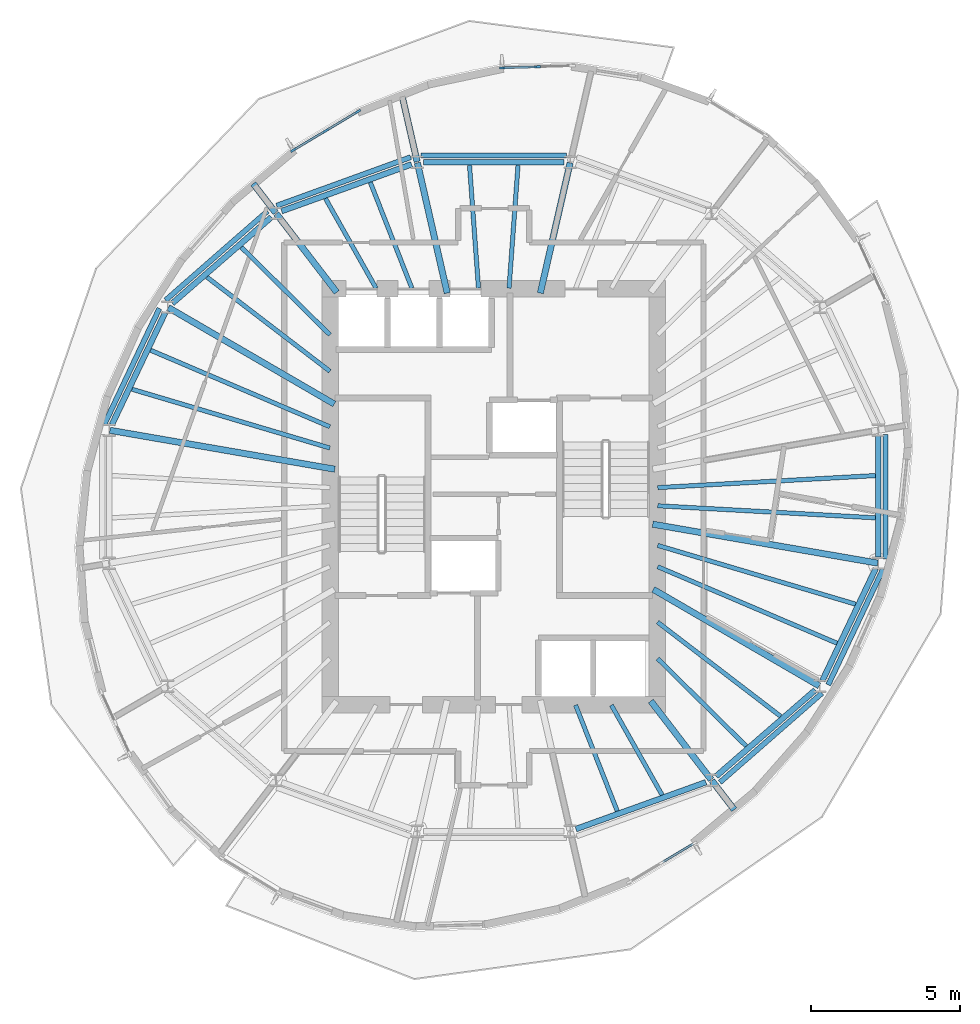
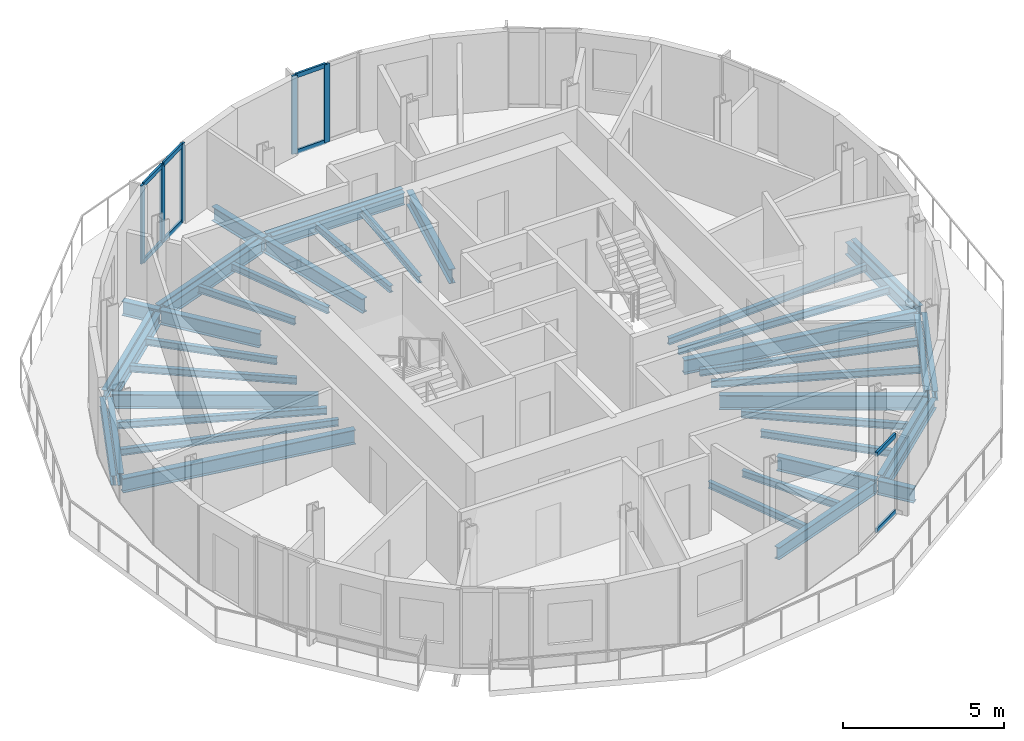
# One storey, part 2 of 11: 42 beams, 13 members, 3 elements without a shape of their own.
"""IFC4 building model written with IfcOpenShell, lengths in metres."""

import ifcopenshell
import ifcopenshell.guid

model = None  # the IFC model being written
_history = None  # IfcOwnerHistory: only IFC2X3 demands one
_inside = {}  # id of a spatial element -> (the spatial element, [elements in it])
_under = {}  # id of a project, library or spatial element -> (it, [spatial elements below it])
_declared = {}  # id of a project -> (the project, [libraries it declares])
_typed = {}  # id of a type object -> (the type object, [elements of that type])
_made_of = {}  # id of a material, layer set ... -> (it, [elements and type objects made of it])


def new_model(schema):
    """Start an empty IFC model of exactly this schema.

    Asked for "IFC4X3", IfcOpenShell would pick the latest addendum, in which some entities
    have other attributes; the version numbers below select the first issue.
    IFC2X3 requires an IfcOwnerHistory on every rooted entity: one is made here for all.
    """
    global model, _history
    if schema == "IFC4X3":
        model = ifcopenshell.file(schema_version=(4, 3, 0, 0))
    else:
        model = ifcopenshell.file(schema=schema)
    _inside.clear()
    _under.clear()
    _declared.clear()
    _typed.clear()
    _made_of.clear()
    _history = None
    if model.schema == "IFC2X3":
        org = make("IfcOrganization", Name="unknown")
        user = make(
            "IfcPersonAndOrganization",
            ThePerson=make("IfcPerson", FamilyName="unknown"),
            TheOrganization=org,
        )
        app = make(
            "IfcApplication",
            ApplicationDeveloper=org,
            Version="unknown",
            ApplicationFullName="unknown",
            ApplicationIdentifier="unknown",
        )
        _history = make(
            "IfcOwnerHistory",
            OwningUser=user,
            OwningApplication=app,
            ChangeAction="ADDED",
            CreationDate=0,
        )
    return model


def make(cls, **values):
    """One entity of the class cls with the attributes given. An attribute that is None is left unset."""
    return model.create_entity(
        cls, **{name: value for name, value in values.items() if value is not None}
    )


def rooted(cls, **values):
    """An entity with a GlobalId (a new one), such as an element, a storey or a relation."""
    return make(cls, GlobalId=ifcopenshell.guid.new(), OwnerHistory=_history, **values)


def si_unit(unit_type, name, prefix=None):
    """IfcSIUnit, for example si_unit("LENGTHUNIT", "METRE", prefix="MILLI")."""
    return make("IfcSIUnit", UnitType=unit_type, Prefix=prefix, Name=name)


def assignment(units):
    """IfcUnitAssignment: the units of a project."""
    return None if units is None else make("IfcUnitAssignment", Units=units)


def point(xyz):
    """IfcCartesianPoint."""
    return None if xyz is None else make("IfcCartesianPoint", Coordinates=xyz)


def direction(xyz):
    """IfcDirection."""
    return None if xyz is None else make("IfcDirection", DirectionRatios=xyz)


def frame(location, z_axis=None, x_axis=None):
    """IfcAxis2Placement3D, a coordinate frame: its origin and axes. An axis left out is left unset."""
    return make(
        "IfcAxis2Placement3D",
        Location=point(location),
        Axis=direction(z_axis),
        RefDirection=direction(x_axis),
    )


def frame_2d(location, x_axis=None):
    """IfcAxis2Placement2D, a coordinate frame in the plane: its origin and x axis."""
    return make(
        "IfcAxis2Placement2D", Location=point(location), RefDirection=direction(x_axis)
    )


def origin():
    """The frame at (0, 0, 0) with its axes left unset."""
    return frame((0.0, 0.0, 0.0))


def origin_2d():
    """The frame at (0, 0) in the plane with its x axis left unset."""
    return frame_2d((0.0, 0.0))


def place(relative_to, where):
    """IfcLocalPlacement: puts the frame where relative to a parent placement (None: the world)."""
    return make(
        "IfcLocalPlacement", PlacementRelTo=relative_to, RelativePlacement=where
    )


def context(
    kind, dimensions, precision=None, world=None, true_north=None, identifier=None
):
    """IfcGeometricRepresentationContext, for example the 3D "Model" context."""
    return make(
        "IfcGeometricRepresentationContext",
        ContextIdentifier=identifier,
        ContextType=kind,
        CoordinateSpaceDimension=dimensions,
        Precision=precision,
        WorldCoordinateSystem=world,
        TrueNorth=true_north,
    )


def subcontext(parent, identifier, kind, view, scale=None):
    """IfcGeometricRepresentationSubContext, for example "Body" below "Model"."""
    return make(
        "IfcGeometricRepresentationSubContext",
        ContextIdentifier=identifier,
        ContextType=kind,
        ParentContext=parent,
        TargetScale=scale,
        TargetView=view,
    )


def project(units=None, contexts=None):
    """IfcProject with its units and contexts."""
    return rooted(
        "IfcProject",
        Name="project",
        RepresentationContexts=contexts,
        UnitsInContext=assignment(units),
    )


def spatial(cls, under=None, at=None, **own):
    """A site, building, storey or space (cls), placed at a placement, below another one or the project."""
    s = rooted(cls, ObjectPlacement=at, **own)
    if under is not None:
        _under.setdefault(under.id(), (under, []))[1].append(s)
    return s


def profile(cls, at=None, kind="AREA", **sizes):
    """A parametric profile (cls). Its sizes go by their IFC names, for example OverallWidth=200.0."""
    return make(cls, ProfileType=kind, Position=at, **sizes)


def rectangle(**sizes):
    """IfcRectangleProfileDef."""
    return profile("IfcRectangleProfileDef", **sizes)


def i_section(**sizes):
    """IfcIShapeProfileDef."""
    return profile("IfcIShapeProfileDef", **sizes)


def extrude(swept, where, along, depth):
    """IfcExtrudedAreaSolid: the profile swept, set in the frame where, extruded along a direction by depth."""
    return make(
        "IfcExtrudedAreaSolid",
        SweptArea=swept,
        Position=where,
        ExtrudedDirection=direction(along),
        Depth=depth,
    )


def shape(context_of_items, identifier, shape_type, items):
    """IfcShapeRepresentation: the items that make up one representation, for example the "Body"."""
    return make(
        "IfcShapeRepresentation",
        ContextOfItems=context_of_items,
        RepresentationIdentifier=identifier,
        RepresentationType=shape_type,
        Items=items,
    )


def material(Name=None, Category=None):
    """IfcMaterial."""
    return make("IfcMaterial", Name=Name, Category=Category)


def material_profile(
    of_material, cross_section, Name=None, Category=None, Priority=None
):
    """IfcMaterialProfile: a cross section and its material."""
    return make(
        "IfcMaterialProfile",
        Name=Name,
        Material=of_material,
        Profile=cross_section,
        Priority=Priority,
        Category=Category,
    )


def profile_set(profiles, Name=None, composite=None):
    """IfcMaterialProfileSet."""
    return make(
        "IfcMaterialProfileSet",
        Name=Name,
        MaterialProfiles=profiles,
        CompositeProfile=composite,
    )


def made_of(thing, what):
    """Note that an element or type object is made of a material, layer set ...; save() writes the relation."""
    if what is not None:
        _made_of.setdefault(what.id(), (what, []))[1].append(thing)
    return thing


def type_object(cls, material=None, **own):
    """A type object (cls), such as IfcWallType, which elements share."""
    return made_of(rooted(cls, **own), material)


def element(
    cls,
    number,
    at=None,
    inside=None,
    cuts=None,
    type_object=None,
    material=None,
    context=None,
    identifier="Body",
    shape_type=None,
    held_by="IfcProductDefinitionShape",
    body=None,
    shapes=None,
    **own,
):
    """One element of the class cls, such as IfcWall. Its Tag is "e" and its number.

    at: its placement. inside: the storey or other place that contains it. cuts: it is an
    opening in that element (IfcRelVoidsElement). A single representation is given by context,
    identifier, shape_type and body (its items); several are given by shapes. held_by: the class
    of the entity that holds the representations. save() writes the other relations.
    """
    e = rooted(cls, Tag="e%d" % number, ObjectPlacement=at, **own)
    if body is not None:
        shapes = [shape(context, identifier, shape_type, body)]
    if shapes is not None:
        e.Representation = make(held_by, Representations=shapes)
    if inside is not None:
        _inside.setdefault(inside.id(), (inside, []))[1].append(e)
    if cuts is not None:
        rooted(
            "IfcRelVoidsElement", RelatingBuildingElement=cuts, RelatedOpeningElement=e
        )
    if type_object is not None:
        _typed.setdefault(type_object.id(), (type_object, []))[1].append(e)
    return made_of(e, material)


def aggregate(whole, parts):
    """IfcRelAggregates: a whole, such as a stair, and the parts it consists of."""
    return rooted("IfcRelAggregates", RelatingObject=whole, RelatedObjects=parts)


def save(model, path):
    """Write the relations noted so far, then the file.

    IfcRelAggregates (storeys below a building ...), IfcRelContainedInSpatialStructure (elements
    in a storey), IfcRelDefinesByType, IfcRelAssociatesMaterial and IfcRelDeclares: one each for
    every whole, place, type object, material and project.
    """
    for whole, parts in _under.values():
        aggregate(whole, parts)
    for where, things in _inside.values():
        rooted(
            "IfcRelContainedInSpatialStructure",
            RelatedElements=things,
            RelatingStructure=where,
        )
    for kind, things in _typed.values():
        rooted("IfcRelDefinesByType", RelatedObjects=things, RelatingType=kind)
    for what, things in _made_of.values():
        rooted("IfcRelAssociatesMaterial", RelatedObjects=things, RelatingMaterial=what)
    for by, libraries in _declared.values():
        rooted("IfcRelDeclares", RelatingContext=by, RelatedDefinitions=libraries)
    model.write(path)


model = new_model("IFC4")

# Units and contexts
model_context = context("Model", 3, precision=1e-05, world=origin(), true_north=direction((0.0, 1.0)))
body_context = subcontext(model_context, "Body", "Model", "MODEL_VIEW")
ifc_project = project(units=[si_unit("LENGTHUNIT", "METRE"), si_unit("AREAUNIT", "SQUARE_METRE"), si_unit("VOLUMEUNIT", "CUBIC_METRE"), si_unit("PLANEANGLEUNIT", "RADIAN"), si_unit("MASSUNIT", "GRAM", prefix="KILO")], contexts=[model_context])

# Site, building, storey
site_placement = place(None, origin())
site = spatial("IfcSite", under=ifc_project, at=site_placement, CompositionType="ELEMENT")
building_placement = place(site_placement, origin())
building = spatial("IfcBuilding", under=site, at=building_placement, Name="Veldorim Arch Residences", CompositionType="ELEMENT")
storey_placement = place(building_placement, frame((0.0, 0.0, 217.43994140625)))
storey = spatial("IfcBuildingStorey", under=building, at=storey_placement, Name="L65", CompositionType="ELEMENT", Elevation=217.43994140625)

# Beams
ifc_material_1 = material(Name="Steel S355", Category="steel")
ifc_material_profile_1 = material_profile(ifc_material_1, i_section(OverallWidth=0.2119140625, OverallDepth=0.54443359375, WebThickness=0.0126953125, FlangeThickness=0.021240234375, at=origin_2d()), Name="UB533x210x122")
ifc_profile_set_1 = profile_set([ifc_material_profile_1], Name="Steel S355")
beam_type_1 = type_object("IfcBeamType", Name="Structural Steel Beam UB533x210x122", PredefinedType="BEAM", material=ifc_profile_set_1)
for number, where, z_axis, x_axis, name in (
    (1, (33.567626953125, 30.853759765625, -0.51220703125), (0.222952976993, 0.97482920045, 0.0), (-0.97482920045, 0.222952976993, 0.0), "L65 radial floor girder 04"),
    (2, (30.432373046875, 30.853759765625, -0.51220703125), (-0.222952976993, 0.97482920045, 0.0), (-0.97482920045, -0.222952976993, 0.0), "L65 radial floor girder 05"),
):
    element("IfcBeam", number, at=place(storey_placement, frame(where, z_axis=z_axis, x_axis=x_axis)), inside=storey, type_object=beam_type_1, Name=name, PredefinedType="BEAM", context=body_context, shape_type="SweptSolid", body=[
        extrude(i_section(OverallWidth=0.2119140625, OverallDepth=0.54443359375, WebThickness=0.0126953125, FlangeThickness=0.021240234375, at=origin_2d()), origin(), (0.0, 0.0, 1.0), 4.49951171875),
    ])
beam_1_placement = place(storey_placement, frame((29.42041015625, 35.27880859375, -0.51220703125), z_axis=(-0.222989981251, 0.974820736475, 0.0), x_axis=(-0.974820736475, -0.222989981251, 0.0)))
element("IfcBeam", 3, at=beam_1_placement, inside=storey, type_object=beam_type_1, Name="L65 radial edge cantilever girder 05", PredefinedType="BEAM", context=body_context, shape_type="SweptSolid", body=[
    extrude(i_section(OverallWidth=0.2119140625, OverallDepth=0.54443359375, WebThickness=0.0126953125, FlangeThickness=0.021240234375, at=origin_2d()), origin(), (0.0, 0.0, 1.0), 2.32763671875),
])
beam_2_placement = place(storey_placement, frame((26.71337890625, 30.881103515625, -0.51220703125), z_axis=(-0.609258442308, 0.792971721108, 0.0), x_axis=(-0.792971721108, -0.609258442308, 0.0)))
element("IfcBeam", 4, at=beam_2_placement, inside=storey, type_object=beam_type_1, Name="L65 radial floor girder 06", PredefinedType="BEAM", context=body_context, shape_type="SweptSolid", body=[
    extrude(i_section(OverallWidth=0.2119140625, OverallDepth=0.54443359375, WebThickness=0.0126953125, FlangeThickness=0.021240234375, at=origin_2d()), origin(), (0.0, 0.0, 1.0), 3.339599609375),
])
beam_3_placement = place(storey_placement, frame((24.654296875, 33.561279296875, -0.51220703125), z_axis=(-0.609308621958, 0.792933164401, 0.0), x_axis=(-0.792933164401, -0.609308621958, 0.0)))
element("IfcBeam", 5, at=beam_3_placement, inside=storey, type_object=beam_type_1, Name="L65 radial edge cantilever girder 06", PredefinedType="BEAM", context=body_context, shape_type="SweptSolid", body=[
    extrude(i_section(OverallWidth=0.2119140625, OverallDepth=0.54443359375, WebThickness=0.0126953125, FlangeThickness=0.021240234375, at=origin_2d()), origin(), (0.0, 0.0, 1.0), 1.232421875),
])
beam_4_placement = place(storey_placement, frame((26.629638671875, 27.12060546875, -0.51220703125), z_axis=(-0.864595736304, 0.502468121142, 0.0), x_axis=(-0.502468121142, -0.864595736304, 0.0)))
element("IfcBeam", 6, at=beam_4_placement, inside=storey, type_object=beam_type_1, Name="L65 radial floor girder 07", PredefinedType="BEAM", context=body_context, shape_type="SweptSolid", body=[
    extrude(i_section(OverallWidth=0.2119140625, OverallDepth=0.54443359375, WebThickness=0.0126953125, FlangeThickness=0.021240234375, at=origin_2d()), origin(), (0.0, 0.0, 1.0), 6.462646484375),
])
beam_5_placement = place(storey_placement, frame((26.647705078125, 24.92578125, -0.51220703125), z_axis=(-0.985364974081, 0.170457818401, 0.0), x_axis=(-0.170457818401, -0.985364974081, 0.0)))
element("IfcBeam", 7, at=beam_5_placement, inside=storey, type_object=beam_type_1, Name="L65 radial floor girder 08", PredefinedType="BEAM", context=body_context, shape_type="SweptSolid", body=[
    extrude(i_section(OverallWidth=0.2119140625, OverallDepth=0.54443359375, WebThickness=0.0126953125, FlangeThickness=0.021240234375, at=origin_2d()), origin(), (0.0, 0.0, 1.0), 7.68701171875),
])
beam_6_placement = place(storey_placement, frame((37.28662109375, 17.118896484375, -0.51220703125), z_axis=(0.609258442308, -0.792971721108, 0.0), x_axis=(0.792971721108, 0.609258442308, 0.0)))
element("IfcBeam", 8, at=beam_6_placement, inside=storey, type_object=beam_type_1, Name="L65 radial floor girder 14", PredefinedType="BEAM", context=body_context, shape_type="SweptSolid", body=[
    extrude(i_section(OverallWidth=0.2119140625, OverallDepth=0.54443359375, WebThickness=0.0126953125, FlangeThickness=0.021240234375, at=origin_2d()), origin(), (0.0, 0.0, 1.0), 3.339599609375),
])
beam_7_placement = place(storey_placement, frame((39.345703125, 14.438720703125, -0.51220703125), z_axis=(0.609308621958, -0.792933164401, 0.0), x_axis=(0.792933164401, 0.609308621958, 0.0)))
element("IfcBeam", 9, at=beam_7_placement, inside=storey, type_object=beam_type_1, Name="L65 radial edge cantilever girder 14", PredefinedType="BEAM", context=body_context, shape_type="SweptSolid", body=[
    extrude(i_section(OverallWidth=0.2119140625, OverallDepth=0.54443359375, WebThickness=0.0126953125, FlangeThickness=0.021240234375, at=origin_2d()), origin(), (0.0, 0.0, 1.0), 1.232421875),
])
beam_8_placement = place(storey_placement, frame((37.370361328125, 20.87939453125, -0.51220703125), z_axis=(0.864595736304, -0.502468121142, 0.0), x_axis=(0.502468121142, 0.864595736304, 0.0)))
element("IfcBeam", 10, at=beam_8_placement, inside=storey, type_object=beam_type_1, Name="L65 radial floor girder 15", PredefinedType="BEAM", context=body_context, shape_type="SweptSolid", body=[
    extrude(i_section(OverallWidth=0.2119140625, OverallDepth=0.54443359375, WebThickness=0.0126953125, FlangeThickness=0.021240234375, at=origin_2d()), origin(), (0.0, 0.0, 1.0), 6.462646484375),
])
beam_9_placement = place(storey_placement, frame((37.352294921875, 23.07421875, -0.51220703125), z_axis=(0.985364974081, -0.170457818401, 0.0), x_axis=(0.170457818401, 0.985364974081, 0.0)))
element("IfcBeam", 11, at=beam_9_placement, inside=storey, type_object=beam_type_1, Name="L65 radial floor girder 16", PredefinedType="BEAM", context=body_context, shape_type="SweptSolid", body=[
    extrude(i_section(OverallWidth=0.2119140625, OverallDepth=0.54443359375, WebThickness=0.0126953125, FlangeThickness=0.021240234375, at=origin_2d()), origin(), (0.0, 0.0, 1.0), 7.68701171875),
])
ifc_material_2 = material(Name="Steel S355", Category="steel")
ifc_material_profile_2 = material_profile(ifc_material_2, i_section(OverallWidth=0.146484375, OverallDepth=0.256103515625, WebThickness=0.00634765625, FlangeThickness=0.010986328125, at=origin_2d()), Name="UB254x146x37")
ifc_profile_set_2 = profile_set([ifc_material_profile_2], Name="Steel S355")
beam_type_2 = type_object("IfcBeamType", Name="Structural Steel Joist UB254x146x37", PredefinedType="JOIST", material=ifc_profile_set_2)
for number, where, z_axis, x_axis, name in (
    (12, (32.513916015625, 31.02001953125, -0.367919921875), (0.072985625899, 0.997332992742, 0.0), (-0.997332992742, 0.072985625899, 0.0), "L65 secondary radial floor joist 04-1"),
    (13, (31.486083984375, 31.02001953125, -0.367919921875), (-0.072985625899, 0.997332992742, 0.0), (-0.997332992742, -0.072985625899, 0.0), "L65 secondary radial floor joist 04-2"),
):
    element("IfcBeam", number, at=place(storey_placement, frame(where, z_axis=z_axis, x_axis=x_axis)), inside=storey, type_object=beam_type_2, Name=name, PredefinedType="JOIST", context=body_context, shape_type="SweptSolid", body=[
        extrude(i_section(OverallWidth=0.146484375, OverallDepth=0.256103515625, WebThickness=0.00634765625, FlangeThickness=0.010986328125, at=origin_2d()), origin(), (0.0, 0.0, 1.0), 4.151123046875),
    ])
beam_10_placement = place(storey_placement, frame((29.24365234375, 31.0185546875, -0.367919921875), z_axis=(-0.365581383042, 0.930779379001, 0.0), x_axis=(-0.930779379001, -0.365581383042, 0.0)))
element("IfcBeam", 14, at=beam_10_placement, inside=storey, type_object=beam_type_2, Name="L65 secondary radial floor joist 05-1", PredefinedType="JOIST", context=body_context, shape_type="SweptSolid", body=[
    extrude(i_section(OverallWidth=0.146484375, OverallDepth=0.256103515625, WebThickness=0.00634765625, FlangeThickness=0.010986328125, at=origin_2d()), origin(), (0.0, 0.0, 1.0), 3.83056640625),
])
beam_11_placement = place(storey_placement, frame((28.039794921875, 31.017333984375, -0.367919921875), z_axis=(-0.491452469585, 0.870904397818, 0.0), x_axis=(-0.870904397818, -0.491452469585, 0.0)))
element("IfcBeam", 15, at=beam_11_placement, inside=storey, type_object=beam_type_2, Name="L65 secondary radial floor joist 05-2", PredefinedType="JOIST", context=body_context, shape_type="SweptSolid", body=[
    extrude(i_section(OverallWidth=0.146484375, OverallDepth=0.256103515625, WebThickness=0.00634765625, FlangeThickness=0.010986328125, at=origin_2d()), origin(), (0.0, 0.0, 1.0), 3.472412109375),
])
beam_12_placement = place(storey_placement, frame((26.48583984375, 29.44775390625, -0.367919921875), z_axis=(-0.711396725432, 0.702790650937, 0.0), x_axis=(-0.702790650937, -0.711396725432, 0.0)))
element("IfcBeam", 16, at=beam_12_placement, inside=storey, type_object=beam_type_2, Name="L65 secondary radial floor joist 06-1", PredefinedType="JOIST", context=body_context, shape_type="SweptSolid", body=[
    extrude(i_section(OverallWidth=0.146484375, OverallDepth=0.256103515625, WebThickness=0.00634765625, FlangeThickness=0.010986328125, at=origin_2d()), origin(), (0.0, 0.0, 1.0), 4.198486328125),
])
beam_13_placement = place(storey_placement, frame((26.484130859375, 28.222900390625, -0.367919921875), z_axis=(-0.794013672216, 0.607899899929, 0.0), x_axis=(-0.607899899929, -0.794013672216, 0.0)))
element("IfcBeam", 17, at=beam_13_placement, inside=storey, type_object=beam_type_2, Name="L65 secondary radial floor joist 06-2", PredefinedType="JOIST", context=body_context, shape_type="SweptSolid", body=[
    extrude(i_section(OverallWidth=0.146484375, OverallDepth=0.256103515625, WebThickness=0.00634765625, FlangeThickness=0.010986328125, at=origin_2d()), origin(), (0.0, 0.0, 1.0), 5.217041015625),
])
beam_14_placement = place(storey_placement, frame((26.481689453125, 26.355712890625, -0.367919921875), z_axis=(-0.919725161652, 0.392562895629, 0.0), x_axis=(-0.392562895629, -0.919725161652, 0.0)))
element("IfcBeam", 18, at=beam_14_placement, inside=storey, type_object=beam_type_2, Name="L65 secondary radial floor joist 07-1", PredefinedType="JOIST", context=body_context, shape_type="SweptSolid", body=[
    extrude(i_section(OverallWidth=0.146484375, OverallDepth=0.256103515625, WebThickness=0.00634765625, FlangeThickness=0.010986328125, at=origin_2d()), origin(), (0.0, 0.0, 1.0), 6.5625),
])
beam_15_placement = place(storey_placement, frame((26.480712890625, 25.639404296875, -0.367919921875), z_axis=(-0.958594432792, 0.284774846889, 0.0), x_axis=(-0.284774846889, -0.958594432792, 0.0)))
element("IfcBeam", 19, at=beam_15_placement, inside=storey, type_object=beam_type_2, Name="L65 secondary radial floor joist 07-2", PredefinedType="JOIST", context=body_context, shape_type="SweptSolid", body=[
    extrude(i_section(OverallWidth=0.146484375, OverallDepth=0.256103515625, WebThickness=0.00634765625, FlangeThickness=0.010986328125, at=origin_2d()), origin(), (0.0, 0.0, 1.0), 6.949462890625),
])
beam_16_placement = place(storey_placement, frame((34.75634765625, 16.9814453125, -0.367919921875), z_axis=(0.365581383042, -0.930779379001, 0.0), x_axis=(0.930779379001, 0.365581383042, 0.0)))
element("IfcBeam", 20, at=beam_16_placement, inside=storey, type_object=beam_type_2, Name="L65 secondary radial floor joist 13-1", PredefinedType="JOIST", context=body_context, shape_type="SweptSolid", body=[
    extrude(i_section(OverallWidth=0.146484375, OverallDepth=0.256103515625, WebThickness=0.00634765625, FlangeThickness=0.010986328125, at=origin_2d()), origin(), (0.0, 0.0, 1.0), 3.83056640625),
])
beam_17_placement = place(storey_placement, frame((35.960205078125, 16.982666015625, -0.367919921875), z_axis=(0.491452469585, -0.870904397818, 0.0), x_axis=(0.870904397818, 0.491452469585, 0.0)))
element("IfcBeam", 21, at=beam_17_placement, inside=storey, type_object=beam_type_2, Name="L65 secondary radial floor joist 13-2", PredefinedType="JOIST", context=body_context, shape_type="SweptSolid", body=[
    extrude(i_section(OverallWidth=0.146484375, OverallDepth=0.256103515625, WebThickness=0.00634765625, FlangeThickness=0.010986328125, at=origin_2d()), origin(), (0.0, 0.0, 1.0), 3.472412109375),
])
beam_18_placement = place(storey_placement, frame((37.51416015625, 18.55224609375, -0.367919921875), z_axis=(0.711396725432, -0.702790650937, 0.0), x_axis=(0.702790650937, 0.711396725432, 0.0)))
element("IfcBeam", 22, at=beam_18_placement, inside=storey, type_object=beam_type_2, Name="L65 secondary radial floor joist 14-1", PredefinedType="JOIST", context=body_context, shape_type="SweptSolid", body=[
    extrude(i_section(OverallWidth=0.146484375, OverallDepth=0.256103515625, WebThickness=0.00634765625, FlangeThickness=0.010986328125, at=origin_2d()), origin(), (0.0, 0.0, 1.0), 4.198486328125),
])
beam_19_placement = place(storey_placement, frame((37.515869140625, 19.777099609375, -0.367919921875), z_axis=(0.794013672216, -0.607899899929, 0.0), x_axis=(0.607899899929, 0.794013672216, 0.0)))
element("IfcBeam", 23, at=beam_19_placement, inside=storey, type_object=beam_type_2, Name="L65 secondary radial floor joist 14-2", PredefinedType="JOIST", context=body_context, shape_type="SweptSolid", body=[
    extrude(i_section(OverallWidth=0.146484375, OverallDepth=0.256103515625, WebThickness=0.00634765625, FlangeThickness=0.010986328125, at=origin_2d()), origin(), (0.0, 0.0, 1.0), 5.217041015625),
])
beam_20_placement = place(storey_placement, frame((37.518310546875, 21.644287109375, -0.367919921875), z_axis=(0.919725161652, -0.392562895629, 0.0), x_axis=(0.392562895629, 0.919725161652, 0.0)))
element("IfcBeam", 24, at=beam_20_placement, inside=storey, type_object=beam_type_2, Name="L65 secondary radial floor joist 15-1", PredefinedType="JOIST", context=body_context, shape_type="SweptSolid", body=[
    extrude(i_section(OverallWidth=0.146484375, OverallDepth=0.256103515625, WebThickness=0.00634765625, FlangeThickness=0.010986328125, at=origin_2d()), origin(), (0.0, 0.0, 1.0), 6.5625),
])
beam_21_placement = place(storey_placement, frame((37.519287109375, 22.360595703125, -0.367919921875), z_axis=(0.958594432792, -0.284774846889, 0.0), x_axis=(0.284774846889, 0.958594432792, 0.0)))
element("IfcBeam", 25, at=beam_21_placement, inside=storey, type_object=beam_type_2, Name="L65 secondary radial floor joist 15-2", PredefinedType="JOIST", context=body_context, shape_type="SweptSolid", body=[
    extrude(i_section(OverallWidth=0.146484375, OverallDepth=0.256103515625, WebThickness=0.00634765625, FlangeThickness=0.010986328125, at=origin_2d()), origin(), (0.0, 0.0, 1.0), 6.949462890625),
])
for number, where, z_axis, x_axis, name in (
    (26, (37.52001953125, 23.6943359375, -0.367919921875), (0.998472000884, -0.055259962464, 0.0), (0.055259962464, 0.998472000884, 0.0), "L65 secondary radial floor joist 16-1"),
    (27, (37.52001953125, 24.3056640625, -0.367919921875), (0.998472000884, 0.055259962464, 0.0), (-0.055259962464, 0.998472000884, 0.0), "L65 secondary radial floor joist 16-2"),
):
    element("IfcBeam", number, at=place(storey_placement, frame(where, z_axis=z_axis, x_axis=x_axis)), inside=storey, type_object=beam_type_2, Name=name, PredefinedType="JOIST", context=body_context, shape_type="SweptSolid", body=[
        extrude(i_section(OverallWidth=0.146484375, OverallDepth=0.256103515625, WebThickness=0.00634765625, FlangeThickness=0.010986328125, at=origin_2d()), origin(), (0.0, 0.0, 1.0), 7.33837890625),
    ])
ifc_material_3 = material(Name="Steel S355", Category="steel")
ifc_material_profile_3 = material_profile(ifc_material_3, i_section(OverallWidth=0.172119140625, OverallDepth=0.35791015625, WebThickness=0.008056640625, FlangeThickness=0.012939453125, at=origin_2d()), Name="UB356x171x57")
ifc_profile_set_3 = profile_set([ifc_material_profile_3], Name="Steel S355")
beam_type_3 = type_object("IfcBeamType", Name="Structural Steel Spandrel UB356x171x57", PredefinedType="SPANDREL", material=ifc_profile_set_3)
beam_22_placement = place(storey_placement, frame((34.44970703125, 35.493408203125, -0.43896484375), z_axis=(-1.0, 0.0, 0.0), x_axis=(0.0, -1.0, 0.0)))
element("IfcBeam", 28, at=beam_22_placement, inside=storey, type_object=beam_type_3, Name="L65 perimeter chord spandrel beam 04", PredefinedType="SPANDREL", context=body_context, shape_type="SweptSolid", body=[
    extrude(i_section(OverallWidth=0.172119140625, OverallDepth=0.35791015625, WebThickness=0.008056640625, FlangeThickness=0.012939453125, at=origin_2d()), origin(), (0.0, 0.0, 1.0), 4.8994140625),
])
beam_23_placement = place(storey_placement, frame((29.202880859375, 35.432373046875, -0.43896484375), z_axis=(-0.940178823137, -0.340681347486, 0.0), x_axis=(0.340681347486, -0.940178823137, 0.0)))
element("IfcBeam", 29, at=beam_23_placement, inside=storey, type_object=beam_type_3, Name="L65 perimeter chord spandrel beam 05", PredefinedType="SPANDREL", context=body_context, shape_type="SweptSolid", body=[
    extrude(i_section(OverallWidth=0.172119140625, OverallDepth=0.35791015625, WebThickness=0.008056640625, FlangeThickness=0.012939453125, at=origin_2d()), origin(), (0.0, 0.0, 1.0), 4.80126953125),
])
beam_24_placement = place(storey_placement, frame((24.385498046875, 33.617919921875, -0.43896484375), z_axis=(-0.752868439096, -0.658171036596, 0.0), x_axis=(0.658171036596, -0.752868439096, 0.0)))
element("IfcBeam", 30, at=beam_24_placement, inside=storey, type_object=beam_type_3, Name="L65 perimeter chord spandrel beam 06", PredefinedType="SPANDREL", context=body_context, shape_type="SweptSolid", body=[
    extrude(i_section(OverallWidth=0.172119140625, OverallDepth=0.35791015625, WebThickness=0.008056640625, FlangeThickness=0.012939453125, at=origin_2d()), origin(), (0.0, 0.0, 1.0), 4.560791015625),
])
beam_25_placement = place(storey_placement, frame((20.740478515625, 30.336669921875, -0.43896484375), z_axis=(-0.428468601304, -0.903556670994, 0.0), x_axis=(0.903556670994, -0.428468601304, 0.0)))
element("IfcBeam", 31, at=beam_25_placement, inside=storey, type_object=beam_type_3, Name="L65 perimeter chord spandrel beam 07", PredefinedType="SPANDREL", context=body_context, shape_type="SweptSolid", body=[
    extrude(i_section(OverallWidth=0.172119140625, OverallDepth=0.35791015625, WebThickness=0.008056640625, FlangeThickness=0.012939453125, at=origin_2d()), origin(), (0.0, 0.0, 1.0), 4.31005859375),
])
beam_26_placement = place(storey_placement, frame((39.614501953125, 14.382080078125, -0.43896484375), z_axis=(0.752868439096, 0.658171036596, 0.0), x_axis=(-0.658171036596, 0.752868439096, 0.0)))
element("IfcBeam", 32, at=beam_26_placement, inside=storey, type_object=beam_type_3, Name="L65 perimeter chord spandrel beam 14", PredefinedType="SPANDREL", context=body_context, shape_type="SweptSolid", body=[
    extrude(i_section(OverallWidth=0.172119140625, OverallDepth=0.35791015625, WebThickness=0.008056640625, FlangeThickness=0.012939453125, at=origin_2d()), origin(), (0.0, 0.0, 1.0), 4.560791015625),
])
beam_27_placement = place(storey_placement, frame((43.259521484375, 17.663330078125, -0.43896484375), z_axis=(0.428468601304, 0.903556670994, 0.0), x_axis=(-0.903556670994, 0.428468601304, 0.0)))
element("IfcBeam", 33, at=beam_27_placement, inside=storey, type_object=beam_type_3, Name="L65 perimeter chord spandrel beam 15", PredefinedType="SPANDREL", context=body_context, shape_type="SweptSolid", body=[
    extrude(i_section(OverallWidth=0.172119140625, OverallDepth=0.35791015625, WebThickness=0.008056640625, FlangeThickness=0.012939453125, at=origin_2d()), origin(), (0.0, 0.0, 1.0), 4.31005859375),
])
beam_28_placement = place(storey_placement, frame((45.182861328125, 21.898681640625, -0.43896484375), z_axis=(0.0, 1.0, 0.0), x_axis=(-1.0, 0.0, 0.0)))
element("IfcBeam", 34, at=beam_28_placement, inside=storey, type_object=beam_type_3, Name="L65 perimeter chord spandrel beam 16", PredefinedType="SPANDREL", context=body_context, shape_type="SweptSolid", body=[
    extrude(i_section(OverallWidth=0.172119140625, OverallDepth=0.35791015625, WebThickness=0.008056640625, FlangeThickness=0.012939453125, at=origin_2d()), origin(), (0.0, 0.0, 1.0), 4.20263671875),
])
ifc_material_4 = material(Name="Steel S355", Category="steel")
ifc_material_profile_4 = material_profile(ifc_material_4, i_section(OverallWidth=0.19140625, OverallDepth=0.4599609375, WebThickness=0.010009765625, FlangeThickness=0.01611328125, at=origin_2d()), Name="UB457x191x82")
ifc_profile_set_4 = profile_set([ifc_material_profile_4], Name="Steel S355")
beam_type_4 = type_object("IfcBeamType", Name="Structural Steel Spandrel UB457x191x82", PredefinedType="SPANDREL", material=ifc_profile_set_4)
beam_29_placement = place(storey_placement, frame((34.37158203125, 35.259521484375, -0.469970703125), z_axis=(-1.0, 0.0, 0.0), x_axis=(0.0, -1.0, 0.0)))
element("IfcBeam", 35, at=beam_29_placement, inside=storey, type_object=beam_type_4, Name="L65 perimeter ring tie beam 04", PredefinedType="SPANDREL", context=body_context, shape_type="SweptSolid", body=[
    extrude(i_section(OverallWidth=0.19140625, OverallDepth=0.4599609375, WebThickness=0.010009765625, FlangeThickness=0.01611328125, at=origin_2d()), origin(), (0.0, 0.0, 1.0), 4.7431640625),
])
beam_30_placement = place(storey_placement, frame((29.2333984375, 35.1904296875, -0.469970703125), z_axis=(-0.940819134121, -0.338909068736, 0.0), x_axis=(0.338909068736, -0.940819134121, 0.0)))
element("IfcBeam", 36, at=beam_30_placement, inside=storey, type_object=beam_type_4, Name="L65 perimeter ring tie beam 05", PredefinedType="SPANDREL", context=body_context, shape_type="SweptSolid", body=[
    extrude(i_section(OverallWidth=0.19140625, OverallDepth=0.4599609375, WebThickness=0.010009765625, FlangeThickness=0.01611328125, at=origin_2d()), origin(), (0.0, 0.0, 1.0), 4.650634765625),
])
beam_31_placement = place(storey_placement, frame((24.512939453125, 33.411865234375, -0.469970703125), z_axis=(-0.754534162517, -0.656260769508, 0.0), x_axis=(0.656260769508, -0.754534162517, 0.0)))
element("IfcBeam", 37, at=beam_31_placement, inside=storey, type_object=beam_type_4, Name="L65 perimeter ring tie beam 06", PredefinedType="SPANDREL", context=body_context, shape_type="SweptSolid", body=[
    extrude(i_section(OverallWidth=0.19140625, OverallDepth=0.4599609375, WebThickness=0.010009765625, FlangeThickness=0.01611328125, at=origin_2d()), origin(), (0.0, 0.0, 1.0), 4.419677734375),
])
beam_32_placement = place(storey_placement, frame((20.93701171875, 30.194091796875, -0.469970703125), z_axis=(-0.429992574394, -0.902832424078, 0.0), x_axis=(0.902832424078, -0.429992574394, 0.0)))
element("IfcBeam", 38, at=beam_32_placement, inside=storey, type_object=beam_type_4, Name="L65 perimeter ring tie beam 07", PredefinedType="SPANDREL", context=body_context, shape_type="SweptSolid", body=[
    extrude(i_section(OverallWidth=0.19140625, OverallDepth=0.4599609375, WebThickness=0.010009765625, FlangeThickness=0.01611328125, at=origin_2d()), origin(), (0.0, 0.0, 1.0), 4.176513671875),
])
beam_33_placement = place(storey_placement, frame((34.7666015625, 12.8095703125, -0.469970703125), z_axis=(0.940819134121, 0.338909068736, 0.0), x_axis=(-0.338909068736, 0.940819134121, 0.0)))
element("IfcBeam", 39, at=beam_33_placement, inside=storey, type_object=beam_type_4, Name="L65 perimeter ring tie beam 13", PredefinedType="SPANDREL", context=body_context, shape_type="SweptSolid", body=[
    extrude(i_section(OverallWidth=0.19140625, OverallDepth=0.4599609375, WebThickness=0.010009765625, FlangeThickness=0.01611328125, at=origin_2d()), origin(), (0.0, 0.0, 1.0), 4.650634765625),
])
beam_34_placement = place(storey_placement, frame((39.487060546875, 14.588134765625, -0.469970703125), z_axis=(0.754534162517, 0.656260769508, 0.0), x_axis=(-0.656260769508, 0.754534162517, 0.0)))
element("IfcBeam", 40, at=beam_34_placement, inside=storey, type_object=beam_type_4, Name="L65 perimeter ring tie beam 14", PredefinedType="SPANDREL", context=body_context, shape_type="SweptSolid", body=[
    extrude(i_section(OverallWidth=0.19140625, OverallDepth=0.4599609375, WebThickness=0.010009765625, FlangeThickness=0.01611328125, at=origin_2d()), origin(), (0.0, 0.0, 1.0), 4.419677734375),
])
beam_35_placement = place(storey_placement, frame((43.06298828125, 17.805908203125, -0.469970703125), z_axis=(0.429992574394, 0.902832424078, 0.0), x_axis=(-0.902832424078, 0.429992574394, 0.0)))
element("IfcBeam", 41, at=beam_35_placement, inside=storey, type_object=beam_type_4, Name="L65 perimeter ring tie beam 15", PredefinedType="SPANDREL", context=body_context, shape_type="SweptSolid", body=[
    extrude(i_section(OverallWidth=0.19140625, OverallDepth=0.4599609375, WebThickness=0.010009765625, FlangeThickness=0.01611328125, at=origin_2d()), origin(), (0.0, 0.0, 1.0), 4.176513671875),
])
beam_36_placement = place(storey_placement, frame((44.9462890625, 21.9638671875, -0.469970703125), z_axis=(0.0, 1.0, 0.0), x_axis=(-1.0, 0.0, 0.0)))
element("IfcBeam", 42, at=beam_36_placement, inside=storey, type_object=beam_type_4, Name="L65 perimeter ring tie beam 16", PredefinedType="SPANDREL", context=body_context, shape_type="SweptSolid", body=[
    extrude(i_section(OverallWidth=0.19140625, OverallDepth=0.4599609375, WebThickness=0.010009765625, FlangeThickness=0.01611328125, at=origin_2d()), origin(), (0.0, 0.0, 1.0), 4.072265625),
])

# Curtain wall, members
ifc_material_5 = material(Name="Aluminium", Category="aluminium")
curtain_wall_type = type_object("IfcCurtainWallType", Name="Zone 4 High-Altitude Unitised Curtain Wall", PredefinedType="NOTDEFINED", material=ifc_material_5)
curtain_wall_1_placement = place(storey_placement, origin())
curtain_wall_1 = element("IfcCurtainWall", 43, at=curtain_wall_1_placement, inside=storey, type_object=curtain_wall_type, Name="L65 unitised curtain wall bay 04", PredefinedType="NOTDEFINED")
ifc_material_6 = material(Name="Aluminium", Category="aluminium")
ifc_material_profile_5 = material_profile(ifc_material_6, rectangle(XDim=0.074951171875, YDim=0.195068359375, at=origin_2d()), Name="ALU_MUL_75x195")
ifc_profile_set_5 = profile_set([ifc_material_profile_5], Name="Aluminium")
member_type_1 = type_object("IfcMemberType", Name="Zone 4 High-Altitude Unitised Curtain Wall Mullion 75x195", PredefinedType="MULLION", material=ifc_profile_set_5)
member_1_placement = place(storey_placement, frame((32.285400390625, 38.43603515625, 0.0), z_axis=(0.0, 0.0, 1.0), x_axis=(-0.030834608084, 0.999524500422, 0.0)))
member_1 = element("IfcMember", 44, at=member_1_placement, type_object=member_type_1, Name="CW-Z4 mullion 1", PredefinedType="MULLION", context=body_context, shape_type="SweptSolid", body=[
    extrude(rectangle(XDim=0.074951171875, YDim=0.195068359375, at=origin_2d()), origin(), (0.0, 0.0, 1.0), 2.9599609375),
])
member_2_placement = place(storey_placement, frame((33.468505859375, 38.47265625, 0.0), z_axis=(0.0, 0.0, 1.0), x_axis=(-0.030834608084, 0.999524500422, 0.0)))
member_2 = element("IfcMember", 45, at=member_2_placement, type_object=member_type_1, Name="CW-Z4 mullion 2", PredefinedType="MULLION", context=body_context, shape_type="SweptSolid", body=[
    extrude(rectangle(XDim=0.074951171875, YDim=0.195068359375, at=origin_2d()), origin(), (0.0, 0.0, 1.0), 2.9599609375),
])

curtain_wall_2_placement = place(storey_placement, origin())
curtain_wall_2 = element("IfcCurtainWall", 46, at=curtain_wall_2_placement, inside=storey, type_object=curtain_wall_type, Name="L65 unitised curtain wall bay 07", PredefinedType="NOTDEFINED")
member_3_placement = place(storey_placement, frame((25.251708984375, 35.6689453125, 0.0), z_axis=(0.0, 0.0, 1.0), x_axis=(-0.512816771325, 0.85849808331, 0.0)))
member_3 = element("IfcMember", 47, at=member_3_placement, type_object=member_type_1, Name="CW-Z4 mullion 1", PredefinedType="MULLION", context=body_context, shape_type="SweptSolid", body=[
    extrude(rectangle(XDim=0.074951171875, YDim=0.195068359375, at=origin_2d()), origin(), (0.0, 0.0, 1.0), 2.9599609375),
])
member_4_placement = place(storey_placement, frame((26.340576171875, 36.3193359375, 0.0), z_axis=(0.0, 0.0, 1.0), x_axis=(-0.512816771325, 0.85849808331, 0.0)))
member_4 = element("IfcMember", 48, at=member_4_placement, type_object=member_type_1, Name="CW-Z4 mullion 2", PredefinedType="MULLION", context=body_context, shape_type="SweptSolid", body=[
    extrude(rectangle(XDim=0.074951171875, YDim=0.195068359375, at=origin_2d()), origin(), (0.0, 0.0, 1.0), 2.9599609375),
])
member_5_placement = place(storey_placement, frame((27.429443359375, 36.9697265625, 0.0), z_axis=(0.0, 0.0, 1.0), x_axis=(-0.512816771325, 0.85849808331, 0.0)))
member_5 = element("IfcMember", 49, at=member_5_placement, type_object=member_type_1, Name="CW-Z4 mullion 3", PredefinedType="MULLION", context=body_context, shape_type="SweptSolid", body=[
    extrude(rectangle(XDim=0.074951171875, YDim=0.195068359375, at=origin_2d()), origin(), (0.0, 0.0, 1.0), 2.9599609375),
])

# Member
ifc_material_7 = material(Name="Aluminium", Category="aluminium")
ifc_material_profile_6 = material_profile(ifc_material_7, rectangle(XDim=0.074951171875, YDim=0.1650390625, at=origin_2d()), Name="ALU_TRN_75x165")
ifc_profile_set_6 = profile_set([ifc_material_profile_6], Name="Aluminium")
member_type_2 = type_object("IfcMemberType", Name="Zone 4 High-Altitude Unitised Curtain Wall Transom 75x165", PredefinedType="USERDEFINED", material=ifc_profile_set_6)
member_6_placement = place(storey_placement, frame((32.322998046875, 38.437255859375, 0.03759765625), z_axis=(0.999524459818, 0.030835924278, 0.0), x_axis=(-0.030835924278, 0.999524459818, 0.0)))
member_6 = element("IfcMember", 50, at=member_6_placement, type_object=member_type_2, Name="CW-Z4 transom 1.1", ObjectType="TRANSOM", PredefinedType="USERDEFINED", context=body_context, shape_type="SweptSolid", body=[
    extrude(rectangle(XDim=0.074951171875, YDim=0.1650390625, at=origin_2d()), origin(), (0.0, 0.0, 1.0), 1.1083984375),
])

member_7_placement = place(storey_placement, frame((32.322998046875, 38.437255859375, 2.922607421875), z_axis=(0.999524459818, 0.030835924278, 0.0), x_axis=(-0.030835924278, 0.999524459818, 0.0)))
member_7 = element("IfcMember", 51, at=member_7_placement, type_object=member_type_2, Name="CW-Z4 transom 1.2", ObjectType="TRANSOM", PredefinedType="USERDEFINED", context=body_context, shape_type="SweptSolid", body=[
    extrude(rectangle(XDim=0.074951171875, YDim=0.1650390625, at=origin_2d()), origin(), (0.0, 0.0, 1.0), 1.1083984375),
])

aggregate(curtain_wall_1, [member_1, member_2, member_6, member_7])

member_8_placement = place(storey_placement, frame((25.283935546875, 35.68798828125, 0.03759765625), z_axis=(0.858448189445, 0.512900288593, 0.0), x_axis=(-0.512900288593, 0.858448189445, 0.0)))
member_8 = element("IfcMember", 52, at=member_8_placement, type_object=member_type_2, Name="CW-Z4 transom 1.1", ObjectType="TRANSOM", PredefinedType="USERDEFINED", context=body_context, shape_type="SweptSolid", body=[
    extrude(rectangle(XDim=0.074951171875, YDim=0.1650390625, at=origin_2d()), origin(), (0.0, 0.0, 1.0), 1.193359375),
])

member_9_placement = place(storey_placement, frame((25.283935546875, 35.68798828125, 2.922607421875), z_axis=(0.858448189445, 0.512900288593, 0.0), x_axis=(-0.512900288593, 0.858448189445, 0.0)))
member_9 = element("IfcMember", 53, at=member_9_placement, type_object=member_type_2, Name="CW-Z4 transom 1.2", ObjectType="TRANSOM", PredefinedType="USERDEFINED", context=body_context, shape_type="SweptSolid", body=[
    extrude(rectangle(XDim=0.074951171875, YDim=0.1650390625, at=origin_2d()), origin(), (0.0, 0.0, 1.0), 1.193359375),
])

member_10_placement = place(storey_placement, frame((26.372802734375, 36.33837890625, 0.03759765625), z_axis=(0.858448189445, 0.512900288593, 0.0), x_axis=(-0.512900288593, 0.858448189445, 0.0)))
member_10 = element("IfcMember", 54, at=member_10_placement, type_object=member_type_2, Name="CW-Z4 transom 2.1", ObjectType="TRANSOM", PredefinedType="USERDEFINED", context=body_context, shape_type="SweptSolid", body=[
    extrude(rectangle(XDim=0.074951171875, YDim=0.1650390625, at=origin_2d()), origin(), (0.0, 0.0, 1.0), 1.193359375),
])

member_11_placement = place(storey_placement, frame((26.372802734375, 36.33837890625, 2.922607421875), z_axis=(0.858448189445, 0.512900288593, 0.0), x_axis=(-0.512900288593, 0.858448189445, 0.0)))
member_11 = element("IfcMember", 55, at=member_11_placement, type_object=member_type_2, Name="CW-Z4 transom 2.2", ObjectType="TRANSOM", PredefinedType="USERDEFINED", context=body_context, shape_type="SweptSolid", body=[
    extrude(rectangle(XDim=0.074951171875, YDim=0.1650390625, at=origin_2d()), origin(), (0.0, 0.0, 1.0), 1.193359375),
])

aggregate(curtain_wall_2, [member_3, member_4, member_5, member_8, member_9, member_10, member_11])

# Curtain wall, members
curtain_wall_3_placement = place(storey_placement, origin())
curtain_wall_3 = element("IfcCurtainWall", 56, at=curtain_wall_3_placement, inside=storey, type_object=curtain_wall_type, Name="L65 unitised curtain wall bay 25", PredefinedType="NOTDEFINED")
member_12_placement = place(storey_placement, frame((38.716064453125, 12.31201171875, 0.03759765625), z_axis=(-0.858448189445, -0.512900288593, 0.0), x_axis=(0.512900288593, -0.858448189445, 0.0)))
member_12 = element("IfcMember", 57, at=member_12_placement, type_object=member_type_2, Name="CW-Z4 transom 1.1", ObjectType="TRANSOM", PredefinedType="USERDEFINED", context=body_context, shape_type="SweptSolid", body=[
    extrude(rectangle(XDim=0.074951171875, YDim=0.1650390625, at=origin_2d()), origin(), (0.0, 0.0, 1.0), 1.193359375),
])
member_13_placement = place(storey_placement, frame((38.716064453125, 12.31201171875, 2.922607421875), z_axis=(-0.858448189445, -0.512900288593, 0.0), x_axis=(0.512900288593, -0.858448189445, 0.0)))
member_13 = element("IfcMember", 58, at=member_13_placement, type_object=member_type_2, Name="CW-Z4 transom 1.2", ObjectType="TRANSOM", PredefinedType="USERDEFINED", context=body_context, shape_type="SweptSolid", body=[
    extrude(rectangle(XDim=0.074951171875, YDim=0.1650390625, at=origin_2d()), origin(), (0.0, 0.0, 1.0), 1.193359375),
])
aggregate(curtain_wall_3, [member_12, member_13])

save(model, "model.ifc")
